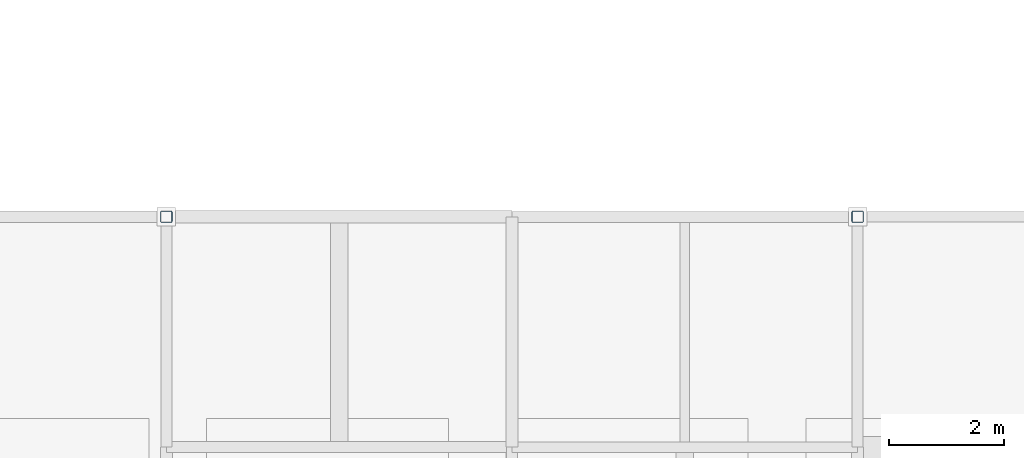
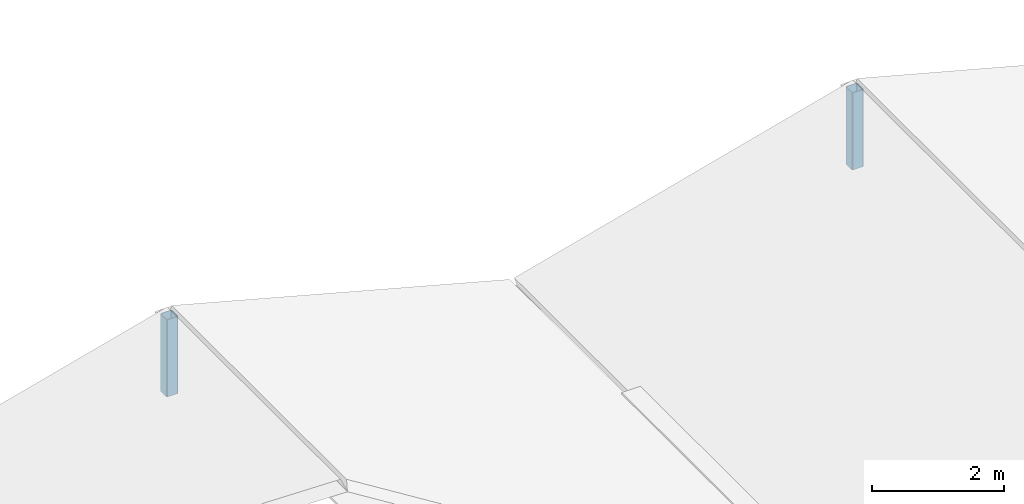
# One storey, part 2 of 27: 2 columns.
"""IFC4 building model written with IfcOpenShell, lengths in metres."""

from ifc_helpers import new_model, si_unit, direction, frame, origin, origin_2d, place, context, subcontext, project, spatial, hollow_rectangle, extrude, material, material_profile, profile_set, type_object, element, save


model = new_model("IFC4")

# Units and contexts
model_context = context("Model", 3, precision=1e-05, world=origin(), true_north=direction((0.0, 1.0)))
body_context = subcontext(model_context, "Body", "Model", "MODEL_VIEW")
ifc_project = project(units=[si_unit("LENGTHUNIT", "METRE"), si_unit("AREAUNIT", "SQUARE_METRE"), si_unit("VOLUMEUNIT", "CUBIC_METRE"), si_unit("PLANEANGLEUNIT", "RADIAN"), si_unit("MASSUNIT", "GRAM", prefix="KILO")], contexts=[model_context])

# Site, building, storey
site_placement = place(None, origin())
site = spatial("IfcSite", under=ifc_project, at=site_placement, CompositionType="ELEMENT")
building_placement = place(site_placement, origin())
building = spatial("IfcBuilding", under=site, at=building_placement, Name="Verrall Gate Interchange", CompositionType="ELEMENT")
storey_placement = place(building_placement, frame((0.0, 0.0, 32.800048828125)))
storey = spatial("IfcBuildingStorey", under=building, at=storey_placement, Name="RF", CompositionType="ELEMENT", Elevation=32.800048828125)

# Columns
ifc_material = material(Name="Structural Steel CSA G40.21 350W", Category="steel")
ifc_material_profile = material_profile(ifc_material, hollow_rectangle(XDim=0.202880859375, YDim=0.202880859375, WallThickness=0.009521484375, InnerFilletRadius=0.009521484375, OuterFilletRadius=0.01904296875, at=origin_2d()), Name="HSS203x203x9.5")
ifc_profile_set = profile_set([ifc_material_profile], Name="Structural Steel CSA G40.21 350W")
column_type = type_object("IfcColumnType", Name="C-14 Column HSS203x203x9.5", PredefinedType="COLUMN", material=ifc_profile_set)
for number, where, z_axis, x_axis, name in (
    (1, (12.0, 44.0, 0.0), (0.0, 0.0, 1.0), (1.0, 0.0, 0.0), "RF Roof Ridge King-Post 004"),
    (2, (24.0, 44.0, 0.0), (0.0, 0.0, 1.0), (1.0, 0.0, 0.0), "RF Roof Ridge King-Post 008"),
):
    element("IfcColumn", number, at=place(storey_placement, frame(where, z_axis=z_axis, x_axis=x_axis)), inside=storey, type_object=column_type, Name=name, PredefinedType="COLUMN", context=body_context, shape_type="SweptSolid", body=[
        extrude(hollow_rectangle(XDim=0.202880859375, YDim=0.202880859375, WallThickness=0.009521484375, InnerFilletRadius=0.009521484375, OuterFilletRadius=0.01904296875, at=origin_2d()), origin(), (0.0, 0.0, 1.0), 1.429931640625),
    ])

save(model, "model.ifc")
